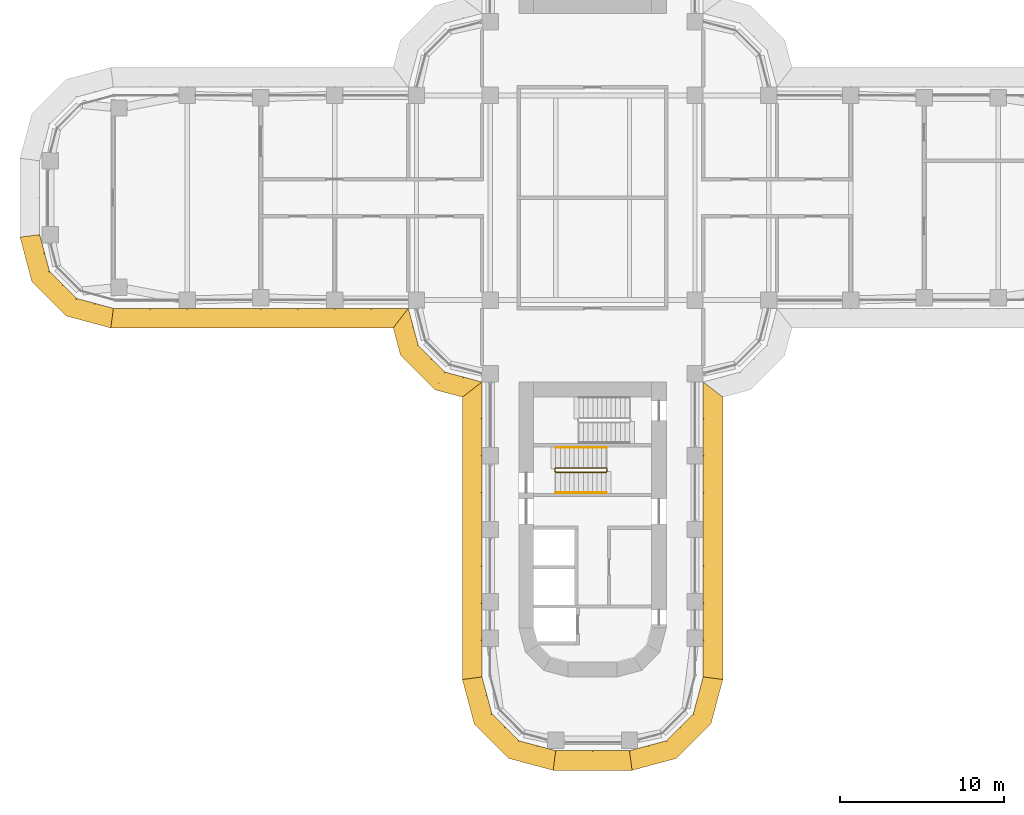
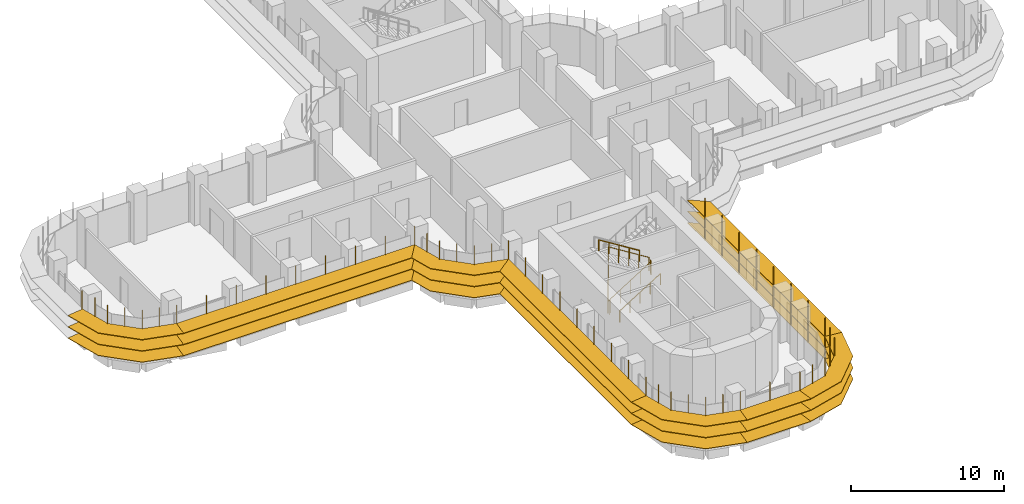
# One storey, part 20 of 23: 8 shading devices, 3 railings.
"""IFC4 building model written with IfcOpenShell, lengths in metres."""

from ifc_helpers import new_model, si_unit, direction, frame, origin, origin_2d, place, context, subcontext, project, spatial, polyline, circle, outline, extrude, faceted_brep, source, transform, mapped, material, type_object, element, save


model = new_model("IFC4")

# Units and contexts
model_context = context("Model", 3, precision=1e-05, world=origin(), true_north=direction((0.0, 1.0)))
body_context = subcontext(model_context, "Body", "Model", "MODEL_VIEW")
ifc_project = project(units=[si_unit("LENGTHUNIT", "METRE"), si_unit("AREAUNIT", "SQUARE_METRE"), si_unit("VOLUMEUNIT", "CUBIC_METRE"), si_unit("PLANEANGLEUNIT", "RADIAN"), si_unit("MASSUNIT", "GRAM", prefix="KILO")], contexts=[model_context])

# Site, building, storey
site_placement = place(None, origin())
site = spatial("IfcSite", under=ifc_project, at=site_placement, CompositionType="ELEMENT")
building_placement = place(site_placement, origin())
building = spatial("IfcBuilding", under=site, at=building_placement, Name="Zarbagh Exchange Tower", CompositionType="ELEMENT")
storey_placement = place(building_placement, frame((0.0, 0.0, 48.0)))
storey = spatial("IfcBuildingStorey", under=building, at=storey_placement, Name="L10", CompositionType="ELEMENT", Elevation=48.0)

# Railings
ifc_material_1 = material(Name="Stainless steel", Category="steel")
railing_type_1 = type_object("IfcRailingType", Name="Stair guard 1100 mm", PredefinedType="GUARDRAIL", material=ifc_material_1)
railing_1_placement = place(storey_placement, frame((0.830078125, -16.5, 2.27490234375)))
element("IfcRailing", 1, at=railing_1_placement, inside=storey, type_object=railing_type_1, Name="ST3 stair guard 1", PredefinedType="GUARDRAIL", context=body_context, shape_type="SweptSolid", body=[
    extrude(circle(Radius=0.02392578125, at=origin_2d()), frame((0.0, 0.0, 1.076171875), z_axis=(-0.847998304005, 0.0, 0.529998940003), x_axis=(0.0, -1.0, 0.0)), (0.0, 0.0, 1.0), 3.632080078125),
    extrude(circle(Radius=0.02392578125, at=origin_2d()), frame((-3.080078125, 0.0, 3.0009765625), z_axis=(-0.011914834358, -0.011914834358, -0.999858026644), x_axis=(0.707106781187, -0.707106781187, 0.0)), (0.0, 0.0, 1.0), 4.200439453125),
    extrude(circle(Radius=0.02392578125, at=origin_2d()), frame((-3.130126953125, -0.050048828125, -1.19873046875), z_axis=(0.0, -1.0, 0.0), x_axis=(1.0, 0.0, 0.0)), (0.0, 0.0, 1.0), 0.14990234375),
    extrude(circle(Radius=0.02392578125, at=origin_2d()), frame((-3.130126953125, -0.199951171875, -1.19873046875), z_axis=(0.265065253269, -0.265065253269, 0.927081885822), x_axis=(0.707106781187, 0.707106781187, 0.0)), (0.0, 0.0, 1.0), 0.188720703125),
    extrude(circle(Radius=0.02392578125, at=origin_2d()), frame((-3.080078125, -0.25, -1.02392578125), z_axis=(0.847998304005, 0.0, 0.529998940003), x_axis=(0.0, 1.0, 0.0)), (0.0, 0.0, 1.0), 3.632080078125),
    extrude(circle(Radius=0.02392578125, at=origin_2d()), frame((0.0, -0.25, 0.9013671875), z_axis=(0.705375805398, 0.708833529934, 0.0), x_axis=(-0.708833529934, 0.705375805398, 0.0)), (0.0, 0.0, 1.0), 0.070556640625),
    extrude(circle(Radius=0.02392578125, at=origin_2d()), frame((0.0498046875, -0.199951171875, 0.9013671875), z_axis=(0.0, 1.0, 0.0), x_axis=(-1.0, 0.0, 0.0)), (0.0, 0.0, 1.0), 0.14990234375),
    extrude(circle(Radius=0.02099609375, at=origin_2d()), origin(), (0.0, 0.0, 1.0), 1.052001953125),
    extrude(circle(Radius=0.02099609375, at=origin_2d()), frame((-0.77001953125, 0.0, 0.481201171875)), (0.0, 0.0, 1.0), 1.052001953125),
    extrude(circle(Radius=0.02099609375, at=origin_2d()), frame((-1.5400390625, 0.0, 0.96240234375)), (0.0, 0.0, 1.0), 1.052001953125),
    extrude(circle(Radius=0.02099609375, at=origin_2d()), frame((-2.31005859375, 0.0, 1.44384765625)), (0.0, 0.0, 1.0), 1.052001953125),
    extrude(circle(Radius=0.02099609375, at=origin_2d()), frame((-3.080078125, 0.0, 1.925048828125)), (0.0, 0.0, 1.0), 1.052001953125),
    extrude(circle(Radius=0.02099609375, at=origin_2d()), frame((-3.092529296875, -0.012451171875, 0.875)), (0.0, 0.0, 1.0), 1.052001953125),
    extrude(circle(Radius=0.02099609375, at=origin_2d()), frame((-3.10498046875, -0.02490234375, -0.1748046875)), (0.0, 0.0, 1.0), 1.052001953125),
    extrude(circle(Radius=0.02099609375, at=origin_2d()), frame((-3.11767578125, -0.03759765625, -1.224853515625)), (0.0, 0.0, 1.0), 1.052001953125),
    extrude(circle(Radius=0.02099609375, at=origin_2d()), frame((-3.130126953125, -0.050048828125, -2.27490234375)), (0.0, 0.0, 1.0), 1.052001953125),
    extrude(circle(Radius=0.02099609375, at=origin_2d()), frame((-3.130126953125, -0.199951171875, -2.27490234375)), (0.0, 0.0, 1.0), 1.052001953125),
    extrude(circle(Radius=0.02099609375, at=origin_2d()), frame((-3.080078125, -0.25, -2.099853515625)), (0.0, 0.0, 1.0), 1.052001953125),
    extrude(circle(Radius=0.02099609375, at=origin_2d()), frame((-2.31005859375, -0.25, -1.61865234375)), (0.0, 0.0, 1.0), 1.052001953125),
    extrude(circle(Radius=0.02099609375, at=origin_2d()), frame((-1.5400390625, -0.25, -1.13720703125)), (0.0, 0.0, 1.0), 1.052001953125),
    extrude(circle(Radius=0.02099609375, at=origin_2d()), frame((-0.77001953125, -0.25, -0.656005859375)), (0.0, 0.0, 1.0), 1.052001953125),
    extrude(circle(Radius=0.02099609375, at=origin_2d()), frame((0.0, -0.25, -0.1748046875)), (0.0, 0.0, 1.0), 1.052001953125),
    extrude(circle(Radius=0.02099609375, at=origin_2d()), frame((0.0498046875, -0.199951171875, -0.1748046875)), (0.0, 0.0, 1.0), 1.052001953125),
    extrude(circle(Radius=0.02099609375, at=origin_2d()), frame((0.0498046875, -0.050048828125, -0.1748046875)), (0.0, 0.0, 1.0), 1.052001953125),
])
railing_type_2 = type_object("IfcRailingType", Name="Stair handrail 900 mm", PredefinedType="HANDRAIL", material=ifc_material_1)
railing_2_placement = place(storey_placement, frame((-2.25, -18.0, 0.175048828125)))
element("IfcRailing", 2, at=railing_2_placement, inside=storey, type_object=railing_type_2, Name="ST3 stair handrail 1", PredefinedType="HANDRAIL", context=body_context, shape_type="SweptSolid", body=[
    extrude(circle(Radius=0.02392578125, at=origin_2d()), frame((0.0, 0.0, 0.8759765625), z_axis=(0.847998304005, 0.0, 0.529998940003), x_axis=(0.0, 1.0, 0.0)), (0.0, 0.0, 1.0), 3.632080078125),
    extrude(circle(Radius=0.02099609375, at=origin_2d()), origin(), (0.0, 0.0, 1.0), 0.851806640625),
    extrude(circle(Radius=0.02099609375, at=origin_2d()), frame((0.77001953125, 0.0, 0.481201171875)), (0.0, 0.0, 1.0), 0.851806640625),
    extrude(circle(Radius=0.02099609375, at=origin_2d()), frame((1.5400390625, 0.0, 0.96240234375)), (0.0, 0.0, 1.0), 0.851806640625),
    extrude(circle(Radius=0.02099609375, at=origin_2d()), frame((2.31005859375, 0.0, 1.44384765625)), (0.0, 0.0, 1.0), 0.851806640625),
    extrude(circle(Radius=0.02099609375, at=origin_2d()), frame((3.080078125, 0.0, 1.925048828125)), (0.0, 0.0, 1.0), 0.851806640625),
])
railing_3_placement = place(storey_placement, frame((0.830078125, -15.25, 2.27490234375)))
element("IfcRailing", 3, at=railing_3_placement, inside=storey, type_object=railing_type_2, Name="ST3 stair handrail 2", PredefinedType="HANDRAIL", context=body_context, shape_type="SweptSolid", body=[
    extrude(circle(Radius=0.02392578125, at=origin_2d()), frame((0.0, 0.0, 0.8759765625), z_axis=(-0.847998304005, 0.0, 0.529998940003), x_axis=(0.0, -1.0, 0.0)), (0.0, 0.0, 1.0), 3.632080078125),
    extrude(circle(Radius=0.02099609375, at=origin_2d()), origin(), (0.0, 0.0, 1.0), 0.851806640625),
    extrude(circle(Radius=0.02099609375, at=origin_2d()), frame((-0.77001953125, 0.0, 0.481201171875)), (0.0, 0.0, 1.0), 0.851806640625),
    extrude(circle(Radius=0.02099609375, at=origin_2d()), frame((-1.5400390625, 0.0, 0.96240234375)), (0.0, 0.0, 1.0), 0.851806640625),
    extrude(circle(Radius=0.02099609375, at=origin_2d()), frame((-2.31005859375, 0.0, 1.44384765625)), (0.0, 0.0, 1.0), 0.851806640625),
    extrude(circle(Radius=0.02099609375, at=origin_2d()), frame((-3.080078125, 0.0, 1.925048828125)), (0.0, 0.0, 1.0), 0.851806640625),
])

# Shading devices
ifc_material_2 = material(Name="Anodised aluminium blades and brackets", Category="aluminium")
shading_device_type = type_object("IfcShadingDeviceType", Name="SUNSHADE louvre band, 0 degree blades", PredefinedType="JALOUSIE", material=ifc_material_2)
shared_shape_1 = source(origin(), body_context, "Body", "Brep", [
    faceted_brep([(0.0, 0.0, 0.0), (0.0, 0.0, -0.0400390625), (-0.157958984375, -1.199951171875, -0.0400390625), (-0.157958984375, -1.199951171875, 0.0), (2.65087890625, -1.199951171875, 0.0), (2.65087890625, -1.199951171875, -0.0400390625), (2.329345703125, 0.0, -0.0400390625), (2.329345703125, 0.0, 0.0)], [[[0, 1, 2, 3]], [[4, 5, 6, 7]], [[0, 7, 6, 1]], [[1, 6, 5, 2]], [[2, 5, 4, 3]], [[3, 4, 7, 0]]]),
])
shared_shape_2 = source(origin(), body_context, "Body", "Brep", [
    faceted_brep([(0.0, 0.0, 0.0), (0.0, 0.0, -0.0400390625), (-0.321533203125, -1.199951171875, -0.0400390625), (-0.321533203125, -1.199951171875, 0.0), (2.65087890625, -1.199951171875, 0.0), (2.65087890625, -1.199951171875, -0.0400390625), (2.329345703125, 0.0, -0.0400390625), (2.329345703125, 0.0, 0.0)], [[[0, 1, 2, 3]], [[4, 5, 6, 7]], [[0, 7, 6, 1]], [[1, 6, 5, 2]], [[2, 5, 4, 3]], [[3, 4, 7, 0]]]),
])
shared_shape_3 = source(origin(), body_context, "Body", "Brep", [
    faceted_brep([(0.0, 0.0, 0.0), (0.0, 0.0, -0.0400390625), (-0.321533203125, -1.199951171875, -0.0400390625), (-0.321533203125, -1.199951171875, 0.0), (2.4873046875, -1.199951171875, 0.0), (2.4873046875, -1.199951171875, -0.0400390625), (2.329345703125, 0.0, -0.0400390625), (2.329345703125, 0.0, 0.0)], [[[0, 1, 2, 3]], [[4, 5, 6, 7]], [[0, 7, 6, 1]], [[1, 6, 5, 2]], [[2, 5, 4, 3]], [[3, 4, 7, 0]]]),
])
shared_shape_4 = source(origin(), body_context, "Body", "SweptSolid", [
    extrude(outline(polyline([(0.0, -0.012451171875), (0.06005859375, -0.012451171875), (0.06005859375, 0.012451171875), (0.0, 0.012451171875), (0.0, -0.012451171875)])), origin(), (0.0, 0.0, 1.0), 3.35009765625),
])
placement = place(storey_placement, origin())
element("IfcShadingDevice", 4, at=placement, inside=storey, type_object=shading_device_type, Name="SS01 sunshade band", PredefinedType="JALOUSIE", context=body_context, shape_type="MappedRepresentation", body=[
    mapped(shared_shape_1, transform((2.25, -33.75, 2.699951171875), x_axis=(0.965924289636, 0.258824779902, 0.0), y_axis=(-0.258824779902, 0.965924289636, 0.0), z_axis=(0.0, 0.0, 1.0))),
    mapped(shared_shape_1, transform((2.25, -33.75, 1.800048828125), x_axis=(0.965924289636, 0.258824779902, 0.0), y_axis=(-0.258824779902, 0.965924289636, 0.0), z_axis=(0.0, 0.0, 1.0))),
    mapped(shared_shape_1, transform((2.25, -33.75, 0.89990234375), x_axis=(0.965924289636, 0.258824779902, 0.0), y_axis=(-0.258824779902, 0.965924289636, 0.0), z_axis=(0.0, 0.0, 1.0))),
    mapped(shared_shape_2, transform((4.5, -33.147216796875, 2.699951171875), x_axis=(0.707106781187, 0.707106781187, 0.0), y_axis=(-0.707106781187, 0.707106781187, 0.0), z_axis=(0.0, 0.0, 1.0))),
    mapped(shared_shape_2, transform((4.5, -33.147216796875, 1.800048828125), x_axis=(0.707106781187, 0.707106781187, 0.0), y_axis=(-0.707106781187, 0.707106781187, 0.0), z_axis=(0.0, 0.0, 1.0))),
    mapped(shared_shape_2, transform((4.5, -33.147216796875, 0.89990234375), x_axis=(0.707106781187, 0.707106781187, 0.0), y_axis=(-0.707106781187, 0.707106781187, 0.0), z_axis=(0.0, 0.0, 1.0))),
    mapped(shared_shape_3, transform((6.147216796875, -31.5, 2.699951171875), x_axis=(0.258824779902, 0.965924289636, 0.0), y_axis=(-0.965924289636, 0.258824779902, 0.0), z_axis=(0.0, 0.0, 1.0))),
    mapped(shared_shape_3, transform((6.147216796875, -31.5, 1.800048828125), x_axis=(0.258824779902, 0.965924289636, 0.0), y_axis=(-0.965924289636, 0.258824779902, 0.0), z_axis=(0.0, 0.0, 1.0))),
    mapped(shared_shape_3, transform((6.147216796875, -31.5, 0.89990234375), x_axis=(0.258824779902, 0.965924289636, 0.0), y_axis=(-0.965924289636, 0.258824779902, 0.0), z_axis=(0.0, 0.0, 1.0))),
    mapped(shared_shape_4, transform((2.25, -33.75, 0.830078125), x_axis=(0.130529263012, -0.991444457092, 0.0), y_axis=(0.991444457092, 0.130529263012, 0.0), z_axis=(0.0, 0.0, 1.0))),
    mapped(shared_shape_4, transform((3.375, -33.448486328125, 0.830078125), x_axis=(0.258825058029, -0.96592421511, 0.0), y_axis=(0.96592421511, 0.258825058029, 0.0), z_axis=(0.0, 0.0, 1.0))),
    mapped(shared_shape_4, transform((4.5, -33.147216796875, 0.830078125), x_axis=(0.50000275701, -0.866023812018, 0.0), y_axis=(0.866023812018, 0.50000275701, 0.0), z_axis=(0.0, 0.0, 1.0))),
    mapped(shared_shape_4, transform((5.323486328125, -32.323486328125, 0.830078125), x_axis=(0.707106781187, -0.707106781187, 0.0), y_axis=(0.707106781187, 0.707106781187, 0.0), z_axis=(0.0, 0.0, 1.0))),
    mapped(shared_shape_4, transform((6.147216796875, -31.5, 0.830078125), x_axis=(0.866023812018, -0.50000275701, 0.0), y_axis=(0.50000275701, 0.866023812018, 0.0), z_axis=(0.0, 0.0, 1.0))),
    mapped(shared_shape_4, transform((6.448486328125, -30.375, 0.830078125), x_axis=(0.96592421511, -0.258825058029, 0.0), y_axis=(0.258825058029, 0.96592421511, 0.0), z_axis=(0.0, 0.0, 1.0))),
])
element("IfcShadingDevice", 5, at=placement, inside=storey, type_object=shading_device_type, Name="SS19 sunshade band", PredefinedType="JALOUSIE", context=body_context, shape_type="MappedRepresentation", body=[
    mapped(shared_shape_1, transform((-33.75, -2.25, 2.699951171875), x_axis=(0.258824779902, -0.965924289636, 0.0), y_axis=(0.965924289636, 0.258824779902, 0.0), z_axis=(0.0, 0.0, 1.0))),
    mapped(shared_shape_1, transform((-33.75, -2.25, 1.800048828125), x_axis=(0.258824779902, -0.965924289636, 0.0), y_axis=(0.965924289636, 0.258824779902, 0.0), z_axis=(0.0, 0.0, 1.0))),
    mapped(shared_shape_1, transform((-33.75, -2.25, 0.89990234375), x_axis=(0.258824779902, -0.965924289636, 0.0), y_axis=(0.965924289636, 0.258824779902, 0.0), z_axis=(0.0, 0.0, 1.0))),
    mapped(shared_shape_2, transform((-33.147216796875, -4.5, 2.699951171875), x_axis=(0.707106781187, -0.707106781187, 0.0), y_axis=(0.707106781187, 0.707106781187, 0.0), z_axis=(0.0, 0.0, 1.0))),
    mapped(shared_shape_2, transform((-33.147216796875, -4.5, 1.800048828125), x_axis=(0.707106781187, -0.707106781187, 0.0), y_axis=(0.707106781187, 0.707106781187, 0.0), z_axis=(0.0, 0.0, 1.0))),
    mapped(shared_shape_2, transform((-33.147216796875, -4.5, 0.89990234375), x_axis=(0.707106781187, -0.707106781187, 0.0), y_axis=(0.707106781187, 0.707106781187, 0.0), z_axis=(0.0, 0.0, 1.0))),
    mapped(shared_shape_3, transform((-31.5, -6.147216796875, 2.699951171875), x_axis=(0.965924289636, -0.258824779902, 0.0), y_axis=(0.258824779902, 0.965924289636, 0.0), z_axis=(0.0, 0.0, 1.0))),
    mapped(shared_shape_3, transform((-31.5, -6.147216796875, 1.800048828125), x_axis=(0.965924289636, -0.258824779902, 0.0), y_axis=(0.258824779902, 0.965924289636, 0.0), z_axis=(0.0, 0.0, 1.0))),
    mapped(shared_shape_3, transform((-31.5, -6.147216796875, 0.89990234375), x_axis=(0.965924289636, -0.258824779902, 0.0), y_axis=(0.258824779902, 0.965924289636, 0.0), z_axis=(0.0, 0.0, 1.0))),
    mapped(shared_shape_4, transform((-33.75, -2.25, 0.830078125), x_axis=(-0.991444457092, -0.130529263012, 0.0), y_axis=(0.130529263012, -0.991444457092, 0.0), z_axis=(0.0, 0.0, 1.0))),
    mapped(shared_shape_4, transform((-33.448486328125, -3.375, 0.830078125), x_axis=(-0.96592421511, -0.258825058029, 0.0), y_axis=(0.258825058029, -0.96592421511, 0.0), z_axis=(0.0, 0.0, 1.0))),
    mapped(shared_shape_4, transform((-33.147216796875, -4.5, 0.830078125), x_axis=(-0.866023812018, -0.50000275701, 0.0), y_axis=(0.50000275701, -0.866023812018, 0.0), z_axis=(0.0, 0.0, 1.0))),
    mapped(shared_shape_4, transform((-32.323486328125, -5.323486328125, 0.830078125), x_axis=(-0.707106781187, -0.707106781187, 0.0), y_axis=(0.707106781187, -0.707106781187, 0.0), z_axis=(0.0, 0.0, 1.0))),
    mapped(shared_shape_4, transform((-31.5, -6.147216796875, 0.830078125), x_axis=(-0.50000275701, -0.866023812018, 0.0), y_axis=(0.866023812018, -0.50000275701, 0.0), z_axis=(0.0, 0.0, 1.0))),
    mapped(shared_shape_4, transform((-30.375, -6.448486328125, 0.830078125), x_axis=(-0.258825058029, -0.96592421511, 0.0), y_axis=(0.96592421511, -0.258825058029, 0.0), z_axis=(0.0, 0.0, 1.0))),
])
element("IfcShadingDevice", 6, at=placement, inside=storey, type_object=shading_device_type, Name="SS23 sunshade band", PredefinedType="JALOUSIE", context=body_context, shape_type="MappedRepresentation", body=[
    mapped(shared_shape_1, transform((-6.75, -29.25, 2.699951171875), x_axis=(0.258824779902, -0.965924289636, 0.0), y_axis=(0.965924289636, 0.258824779902, 0.0), z_axis=(0.0, 0.0, 1.0))),
    mapped(shared_shape_1, transform((-6.75, -29.25, 1.800048828125), x_axis=(0.258824779902, -0.965924289636, 0.0), y_axis=(0.965924289636, 0.258824779902, 0.0), z_axis=(0.0, 0.0, 1.0))),
    mapped(shared_shape_1, transform((-6.75, -29.25, 0.89990234375), x_axis=(0.258824779902, -0.965924289636, 0.0), y_axis=(0.965924289636, 0.258824779902, 0.0), z_axis=(0.0, 0.0, 1.0))),
    mapped(shared_shape_2, transform((-6.147216796875, -31.5, 2.699951171875), x_axis=(0.707106781187, -0.707106781187, 0.0), y_axis=(0.707106781187, 0.707106781187, 0.0), z_axis=(0.0, 0.0, 1.0))),
    mapped(shared_shape_2, transform((-6.147216796875, -31.5, 1.800048828125), x_axis=(0.707106781187, -0.707106781187, 0.0), y_axis=(0.707106781187, 0.707106781187, 0.0), z_axis=(0.0, 0.0, 1.0))),
    mapped(shared_shape_2, transform((-6.147216796875, -31.5, 0.89990234375), x_axis=(0.707106781187, -0.707106781187, 0.0), y_axis=(0.707106781187, 0.707106781187, 0.0), z_axis=(0.0, 0.0, 1.0))),
    mapped(shared_shape_3, transform((-4.5, -33.147216796875, 2.699951171875), x_axis=(0.965924289636, -0.258824779902, 0.0), y_axis=(0.258824779902, 0.965924289636, 0.0), z_axis=(0.0, 0.0, 1.0))),
    mapped(shared_shape_3, transform((-4.5, -33.147216796875, 1.800048828125), x_axis=(0.965924289636, -0.258824779902, 0.0), y_axis=(0.258824779902, 0.965924289636, 0.0), z_axis=(0.0, 0.0, 1.0))),
    mapped(shared_shape_3, transform((-4.5, -33.147216796875, 0.89990234375), x_axis=(0.965924289636, -0.258824779902, 0.0), y_axis=(0.258824779902, 0.965924289636, 0.0), z_axis=(0.0, 0.0, 1.0))),
    mapped(shared_shape_4, transform((-6.75, -29.25, 0.830078125), x_axis=(-0.991444457092, -0.130529263012, 0.0), y_axis=(0.130529263012, -0.991444457092, 0.0), z_axis=(0.0, 0.0, 1.0))),
    mapped(shared_shape_4, transform((-6.448486328125, -30.375, 0.830078125), x_axis=(-0.96592421511, -0.258825058029, 0.0), y_axis=(0.258825058029, -0.96592421511, 0.0), z_axis=(0.0, 0.0, 1.0))),
    mapped(shared_shape_4, transform((-6.147216796875, -31.5, 0.830078125), x_axis=(-0.866023812018, -0.50000275701, 0.0), y_axis=(0.50000275701, -0.866023812018, 0.0), z_axis=(0.0, 0.0, 1.0))),
    mapped(shared_shape_4, transform((-5.323486328125, -32.323486328125, 0.830078125), x_axis=(-0.707106781187, -0.707106781187, 0.0), y_axis=(0.707106781187, -0.707106781187, 0.0), z_axis=(0.0, 0.0, 1.0))),
    mapped(shared_shape_4, transform((-4.5, -33.147216796875, 0.830078125), x_axis=(-0.50000275701, -0.866023812018, 0.0), y_axis=(0.866023812018, -0.50000275701, 0.0), z_axis=(0.0, 0.0, 1.0))),
    mapped(shared_shape_4, transform((-3.375, -33.448486328125, 0.830078125), x_axis=(-0.258825058029, -0.96592421511, 0.0), y_axis=(0.96592421511, -0.258825058029, 0.0), z_axis=(0.0, 0.0, 1.0))),
])
shared_shape_5 = source(origin(), body_context, "Body", "Brep", [
    faceted_brep([(0.0, 0.0, 0.0), (0.0, 0.0, -0.0400390625), (0.9208984375, -1.199951171875, -0.0400390625), (0.9208984375, -1.199951171875, 0.0), (2.65087890625, -1.199951171875, 0.0), (2.65087890625, -1.199951171875, -0.0400390625), (2.329345703125, 0.0, -0.0400390625), (2.329345703125, 0.0, 0.0)], [[[0, 1, 2, 3]], [[4, 5, 6, 7]], [[0, 7, 6, 1]], [[1, 6, 5, 2]], [[2, 5, 4, 3]], [[3, 4, 7, 0]]]),
])
shared_shape_6 = source(origin(), body_context, "Body", "Brep", [
    faceted_brep([(0.0, 0.0, 0.0), (0.0, 0.0, -0.0400390625), (-0.321533203125, -1.199951171875, -0.0400390625), (-0.321533203125, -1.199951171875, 0.0), (1.40869140625, -1.199951171875, 0.0), (1.40869140625, -1.199951171875, -0.0400390625), (2.329345703125, 0.0, -0.0400390625), (2.329345703125, 0.0, 0.0)], [[[0, 1, 2, 3]], [[4, 5, 6, 7]], [[0, 7, 6, 1]], [[1, 6, 5, 2]], [[2, 5, 4, 3]], [[3, 4, 7, 0]]]),
])
element("IfcShadingDevice", 7, at=placement, inside=storey, type_object=shading_device_type, Name="SS21 sunshade band", PredefinedType="JALOUSIE", context=body_context, shape_type="MappedRepresentation", body=[
    mapped(shared_shape_5, transform((-11.25, -6.75, 2.699951171875), x_axis=(0.258824779902, -0.965924289636, 0.0), y_axis=(0.965924289636, 0.258824779902, 0.0), z_axis=(0.0, 0.0, 1.0))),
    mapped(shared_shape_5, transform((-11.25, -6.75, 1.800048828125), x_axis=(0.258824779902, -0.965924289636, 0.0), y_axis=(0.965924289636, 0.258824779902, 0.0), z_axis=(0.0, 0.0, 1.0))),
    mapped(shared_shape_5, transform((-11.25, -6.75, 0.89990234375), x_axis=(0.258824779902, -0.965924289636, 0.0), y_axis=(0.965924289636, 0.258824779902, 0.0), z_axis=(0.0, 0.0, 1.0))),
    mapped(shared_shape_2, transform((-10.647216796875, -9.0, 2.699951171875), x_axis=(0.707106781187, -0.707106781187, 0.0), y_axis=(0.707106781187, 0.707106781187, 0.0), z_axis=(0.0, 0.0, 1.0))),
    mapped(shared_shape_2, transform((-10.647216796875, -9.0, 1.800048828125), x_axis=(0.707106781187, -0.707106781187, 0.0), y_axis=(0.707106781187, 0.707106781187, 0.0), z_axis=(0.0, 0.0, 1.0))),
    mapped(shared_shape_2, transform((-10.647216796875, -9.0, 0.89990234375), x_axis=(0.707106781187, -0.707106781187, 0.0), y_axis=(0.707106781187, 0.707106781187, 0.0), z_axis=(0.0, 0.0, 1.0))),
    mapped(shared_shape_6, transform((-9.0, -10.647216796875, 2.699951171875), x_axis=(0.965924289636, -0.258824779902, 0.0), y_axis=(0.258824779902, 0.965924289636, 0.0), z_axis=(0.0, 0.0, 1.0))),
    mapped(shared_shape_6, transform((-9.0, -10.647216796875, 1.800048828125), x_axis=(0.965924289636, -0.258824779902, 0.0), y_axis=(0.258824779902, 0.965924289636, 0.0), z_axis=(0.0, 0.0, 1.0))),
    mapped(shared_shape_6, transform((-9.0, -10.647216796875, 0.89990234375), x_axis=(0.965924289636, -0.258824779902, 0.0), y_axis=(0.258824779902, 0.965924289636, 0.0), z_axis=(0.0, 0.0, 1.0))),
    mapped(shared_shape_4, transform((-11.25, -6.75, 0.830078125), x_axis=(-0.608758892, -0.793355287, 0.0), y_axis=(0.793355287, -0.608758892, 0.0), z_axis=(0.0, 0.0, 1.0))),
    mapped(shared_shape_4, transform((-10.948486328125, -7.875, 0.830078125), x_axis=(-0.96592421511, -0.258825058029, 0.0), y_axis=(0.258825058029, -0.96592421511, 0.0), z_axis=(0.0, 0.0, 1.0))),
    mapped(shared_shape_4, transform((-10.647216796875, -9.0, 0.830078125), x_axis=(-0.866023812018, -0.50000275701, 0.0), y_axis=(0.50000275701, -0.866023812018, 0.0), z_axis=(0.0, 0.0, 1.0))),
    mapped(shared_shape_4, transform((-9.823486328125, -9.823486328125, 0.830078125), x_axis=(-0.707106781187, -0.707106781187, 0.0), y_axis=(0.707106781187, -0.707106781187, 0.0), z_axis=(0.0, 0.0, 1.0))),
    mapped(shared_shape_4, transform((-9.0, -10.647216796875, 0.830078125), x_axis=(-0.50000275701, -0.866023812018, 0.0), y_axis=(0.866023812018, -0.50000275701, 0.0), z_axis=(0.0, 0.0, 1.0))),
    mapped(shared_shape_4, transform((-7.875, -10.948486328125, 0.830078125), x_axis=(-0.258825058029, -0.96592421511, 0.0), y_axis=(0.96592421511, -0.258825058029, 0.0), z_axis=(0.0, 0.0, 1.0))),
])
shared_shape_7 = source(origin(), body_context, "Body", "Brep", [
    faceted_brep([(0.0, 0.0, 0.0), (0.0, 0.0, -0.0400390625), (-0.157958984375, -1.199951171875, -0.0400390625), (-0.157958984375, -1.199951171875, 0.0), (17.0791015625, -1.199951171875, 0.0), (17.0791015625, -1.199951171875, -0.0400390625), (18.0, 0.0, -0.0400390625), (18.0, 0.0, 0.0)], [[[0, 1, 2, 3]], [[4, 5, 6, 7]], [[0, 7, 6, 1]], [[1, 6, 5, 2]], [[2, 5, 4, 3]], [[3, 4, 7, 0]]]),
])
element("IfcShadingDevice", 8, at=placement, inside=storey, type_object=shading_device_type, Name="SS02 sunshade band", PredefinedType="JALOUSIE", context=body_context, shape_type="MappedRepresentation", body=[
    mapped(shared_shape_7, transform((6.75, -29.25, 2.699951171875), x_axis=(0.0, 1.0, 0.0), y_axis=(-1.0, 0.0, 0.0), z_axis=(0.0, 0.0, 1.0))),
    mapped(shared_shape_7, transform((6.75, -29.25, 1.800048828125), x_axis=(0.0, 1.0, 0.0), y_axis=(-1.0, 0.0, 0.0), z_axis=(0.0, 0.0, 1.0))),
    mapped(shared_shape_7, transform((6.75, -29.25, 0.89990234375), x_axis=(0.0, 1.0, 0.0), y_axis=(-1.0, 0.0, 0.0), z_axis=(0.0, 0.0, 1.0))),
    mapped(shared_shape_4, transform((6.75, -29.25, 0.830078125), x_axis=(0.991444457092, -0.130529263012, 0.0), y_axis=(0.130529263012, 0.991444457092, 0.0), z_axis=(0.0, 0.0, 1.0))),
    mapped(shared_shape_4, transform((6.75, -27.0, 0.830078125), x_axis=(1.0, 0.0, 0.0), y_axis=(0.0, 1.0, 0.0), z_axis=(0.0, 0.0, 1.0))),
    mapped(shared_shape_4, transform((6.75, -24.75, 0.830078125), x_axis=(1.0, 0.0, 0.0), y_axis=(0.0, 1.0, 0.0), z_axis=(0.0, 0.0, 1.0))),
    mapped(shared_shape_4, transform((6.75, -22.5, 0.830078125), x_axis=(1.0, 0.0, 0.0), y_axis=(0.0, 1.0, 0.0), z_axis=(0.0, 0.0, 1.0))),
    mapped(shared_shape_4, transform((6.75, -20.25, 0.830078125), x_axis=(1.0, 0.0, 0.0), y_axis=(0.0, 1.0, 0.0), z_axis=(0.0, 0.0, 1.0))),
    mapped(shared_shape_4, transform((6.75, -18.0, 0.830078125), x_axis=(1.0, 0.0, 0.0), y_axis=(0.0, 1.0, 0.0), z_axis=(0.0, 0.0, 1.0))),
    mapped(shared_shape_4, transform((6.75, -15.75, 0.830078125), x_axis=(1.0, 0.0, 0.0), y_axis=(0.0, 1.0, 0.0), z_axis=(0.0, 0.0, 1.0))),
    mapped(shared_shape_4, transform((6.75, -13.5, 0.830078125), x_axis=(1.0, 0.0, 0.0), y_axis=(0.0, 1.0, 0.0), z_axis=(0.0, 0.0, 1.0))),
])
element("IfcShadingDevice", 9, at=placement, inside=storey, type_object=shading_device_type, Name="SS20 sunshade band", PredefinedType="JALOUSIE", context=body_context, shape_type="MappedRepresentation", body=[
    mapped(shared_shape_7, transform((-29.25, -6.75, 2.699951171875), x_axis=(1.0, 0.0, 0.0), y_axis=(0.0, 1.0, 0.0), z_axis=(0.0, 0.0, 1.0))),
    mapped(shared_shape_7, transform((-29.25, -6.75, 1.800048828125), x_axis=(1.0, 0.0, 0.0), y_axis=(0.0, 1.0, 0.0), z_axis=(0.0, 0.0, 1.0))),
    mapped(shared_shape_7, transform((-29.25, -6.75, 0.89990234375), x_axis=(1.0, 0.0, 0.0), y_axis=(0.0, 1.0, 0.0), z_axis=(0.0, 0.0, 1.0))),
    mapped(shared_shape_4, transform((-29.25, -6.75, 0.830078125), x_axis=(-0.130529263012, -0.991444457092, 0.0), y_axis=(0.991444457092, -0.130529263012, 0.0), z_axis=(0.0, 0.0, 1.0))),
    mapped(shared_shape_4, transform((-27.0, -6.75, 0.830078125), x_axis=(0.0, -1.0, 0.0), y_axis=(1.0, 0.0, 0.0), z_axis=(0.0, 0.0, 1.0))),
    mapped(shared_shape_4, transform((-24.75, -6.75, 0.830078125), x_axis=(0.0, -1.0, 0.0), y_axis=(1.0, 0.0, 0.0), z_axis=(0.0, 0.0, 1.0))),
    mapped(shared_shape_4, transform((-22.5, -6.75, 0.830078125), x_axis=(0.0, -1.0, 0.0), y_axis=(1.0, 0.0, 0.0), z_axis=(0.0, 0.0, 1.0))),
    mapped(shared_shape_4, transform((-20.25, -6.75, 0.830078125), x_axis=(0.0, -1.0, 0.0), y_axis=(1.0, 0.0, 0.0), z_axis=(0.0, 0.0, 1.0))),
    mapped(shared_shape_4, transform((-18.0, -6.75, 0.830078125), x_axis=(0.0, -1.0, 0.0), y_axis=(1.0, 0.0, 0.0), z_axis=(0.0, 0.0, 1.0))),
    mapped(shared_shape_4, transform((-15.75, -6.75, 0.830078125), x_axis=(0.0, -1.0, 0.0), y_axis=(1.0, 0.0, 0.0), z_axis=(0.0, 0.0, 1.0))),
    mapped(shared_shape_4, transform((-13.5, -6.75, 0.830078125), x_axis=(0.0, -1.0, 0.0), y_axis=(1.0, 0.0, 0.0), z_axis=(0.0, 0.0, 1.0))),
])
shared_shape_8 = source(origin(), body_context, "Body", "Brep", [
    faceted_brep([(0.0, 0.0, 0.0), (0.0, 0.0, -0.0400390625), (0.9208984375, -1.199951171875, -0.0400390625), (0.9208984375, -1.199951171875, 0.0), (18.157958984375, -1.199951171875, 0.0), (18.157958984375, -1.199951171875, -0.0400390625), (18.0, 0.0, -0.0400390625), (18.0, 0.0, 0.0)], [[[0, 1, 2, 3]], [[4, 5, 6, 7]], [[0, 7, 6, 1]], [[1, 6, 5, 2]], [[2, 5, 4, 3]], [[3, 4, 7, 0]]]),
])
element("IfcShadingDevice", 10, at=placement, inside=storey, type_object=shading_device_type, Name="SS22 sunshade band", PredefinedType="JALOUSIE", context=body_context, shape_type="MappedRepresentation", body=[
    mapped(shared_shape_8, transform((-6.75, -11.25, 2.699951171875), x_axis=(0.0, -1.0, 0.0), y_axis=(1.0, 0.0, 0.0), z_axis=(0.0, 0.0, 1.0))),
    mapped(shared_shape_8, transform((-6.75, -11.25, 1.800048828125), x_axis=(0.0, -1.0, 0.0), y_axis=(1.0, 0.0, 0.0), z_axis=(0.0, 0.0, 1.0))),
    mapped(shared_shape_8, transform((-6.75, -11.25, 0.89990234375), x_axis=(0.0, -1.0, 0.0), y_axis=(1.0, 0.0, 0.0), z_axis=(0.0, 0.0, 1.0))),
    mapped(shared_shape_4, transform((-6.75, -11.25, 0.830078125), x_axis=(-0.793355287, -0.608758892, 0.0), y_axis=(0.608758892, -0.793355287, 0.0), z_axis=(0.0, 0.0, 1.0))),
    mapped(shared_shape_4, transform((-6.75, -13.5, 0.830078125), x_axis=(-1.0, 0.0, 0.0), y_axis=(0.0, -1.0, 0.0), z_axis=(0.0, 0.0, 1.0))),
    mapped(shared_shape_4, transform((-6.75, -15.75, 0.830078125), x_axis=(-1.0, 0.0, 0.0), y_axis=(0.0, -1.0, 0.0), z_axis=(0.0, 0.0, 1.0))),
    mapped(shared_shape_4, transform((-6.75, -18.0, 0.830078125), x_axis=(-1.0, 0.0, 0.0), y_axis=(0.0, -1.0, 0.0), z_axis=(0.0, 0.0, 1.0))),
    mapped(shared_shape_4, transform((-6.75, -20.25, 0.830078125), x_axis=(-1.0, 0.0, 0.0), y_axis=(0.0, -1.0, 0.0), z_axis=(0.0, 0.0, 1.0))),
    mapped(shared_shape_4, transform((-6.75, -22.5, 0.830078125), x_axis=(-1.0, 0.0, 0.0), y_axis=(0.0, -1.0, 0.0), z_axis=(0.0, 0.0, 1.0))),
    mapped(shared_shape_4, transform((-6.75, -24.75, 0.830078125), x_axis=(-1.0, 0.0, 0.0), y_axis=(0.0, -1.0, 0.0), z_axis=(0.0, 0.0, 1.0))),
    mapped(shared_shape_4, transform((-6.75, -27.0, 0.830078125), x_axis=(-1.0, 0.0, 0.0), y_axis=(0.0, -1.0, 0.0), z_axis=(0.0, 0.0, 1.0))),
])
shared_shape_9 = source(origin(), body_context, "Body", "Brep", [
    faceted_brep([(0.0, 0.0, 0.0), (0.0, 0.0, -0.0400390625), (-0.157958984375, -1.199951171875, -0.0400390625), (-0.157958984375, -1.199951171875, 0.0), (4.657958984375, -1.199951171875, 0.0), (4.657958984375, -1.199951171875, -0.0400390625), (4.5, 0.0, -0.0400390625), (4.5, 0.0, 0.0)], [[[0, 1, 2, 3]], [[4, 5, 6, 7]], [[0, 7, 6, 1]], [[1, 6, 5, 2]], [[2, 5, 4, 3]], [[3, 4, 7, 0]]]),
])
element("IfcShadingDevice", 11, at=placement, inside=storey, type_object=shading_device_type, Name="SS24 sunshade band", PredefinedType="JALOUSIE", context=body_context, shape_type="MappedRepresentation", body=[
    mapped(shared_shape_9, transform((-2.25, -33.75, 2.699951171875), x_axis=(1.0, 0.0, 0.0), y_axis=(0.0, 1.0, 0.0), z_axis=(0.0, 0.0, 1.0))),
    mapped(shared_shape_9, transform((-2.25, -33.75, 1.800048828125), x_axis=(1.0, 0.0, 0.0), y_axis=(0.0, 1.0, 0.0), z_axis=(0.0, 0.0, 1.0))),
    mapped(shared_shape_9, transform((-2.25, -33.75, 0.89990234375), x_axis=(1.0, 0.0, 0.0), y_axis=(0.0, 1.0, 0.0), z_axis=(0.0, 0.0, 1.0))),
    mapped(shared_shape_4, transform((-2.25, -33.75, 0.830078125), x_axis=(-0.130529263012, -0.991444457092, 0.0), y_axis=(0.991444457092, -0.130529263012, 0.0), z_axis=(0.0, 0.0, 1.0))),
    mapped(shared_shape_4, transform((0.0, -33.75, 0.830078125), x_axis=(0.0, -1.0, 0.0), y_axis=(1.0, 0.0, 0.0), z_axis=(0.0, 0.0, 1.0))),
])

save(model, "model.ifc")
